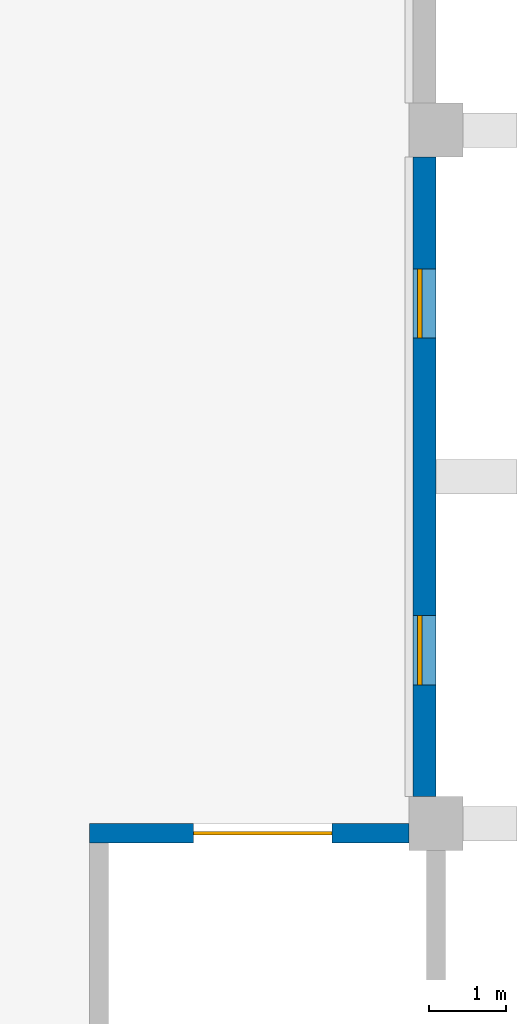
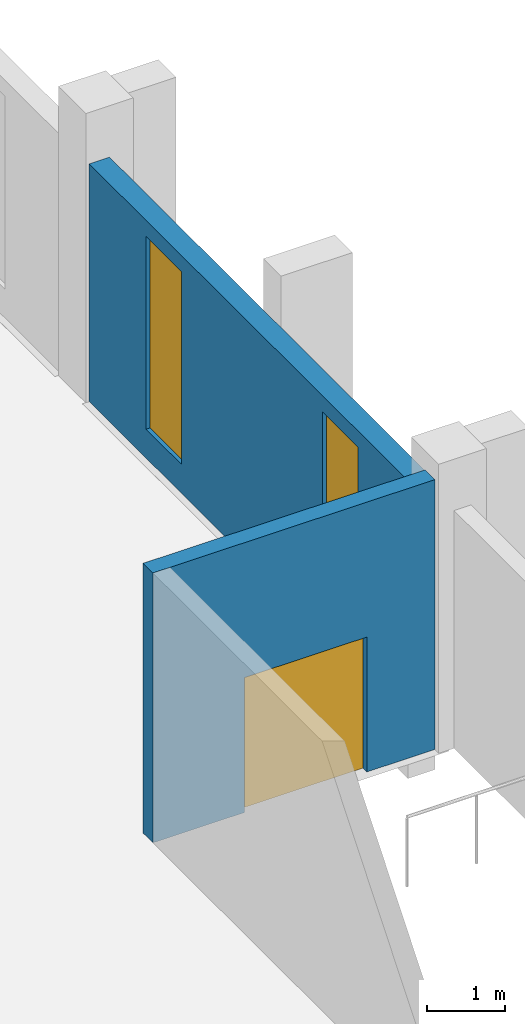
# One storey, part 23 of 40: 2 walls, 2 windows, 1 door, 3 openings.
"""IFC4 building model written with IfcOpenShell, lengths in metres."""

import ifcopenshell
import ifcopenshell.guid

model = None  # the IFC model being written
_history = None  # IfcOwnerHistory: only IFC2X3 demands one
_inside = {}  # id of a spatial element -> (the spatial element, [elements in it])
_under = {}  # id of a project, library or spatial element -> (it, [spatial elements below it])
_declared = {}  # id of a project -> (the project, [libraries it declares])
_typed = {}  # id of a type object -> (the type object, [elements of that type])
_made_of = {}  # id of a material, layer set ... -> (it, [elements and type objects made of it])


def new_model(schema):
    """Start an empty IFC model of exactly this schema.

    Asked for "IFC4X3", IfcOpenShell would pick the latest addendum, in which some entities
    have other attributes; the version numbers below select the first issue.
    IFC2X3 requires an IfcOwnerHistory on every rooted entity: one is made here for all.
    """
    global model, _history
    if schema == "IFC4X3":
        model = ifcopenshell.file(schema_version=(4, 3, 0, 0))
    else:
        model = ifcopenshell.file(schema=schema)
    _inside.clear()
    _under.clear()
    _declared.clear()
    _typed.clear()
    _made_of.clear()
    _history = None
    if model.schema == "IFC2X3":
        org = make("IfcOrganization", Name="unknown")
        user = make(
            "IfcPersonAndOrganization",
            ThePerson=make("IfcPerson", FamilyName="unknown"),
            TheOrganization=org,
        )
        app = make(
            "IfcApplication",
            ApplicationDeveloper=org,
            Version="unknown",
            ApplicationFullName="unknown",
            ApplicationIdentifier="unknown",
        )
        _history = make(
            "IfcOwnerHistory",
            OwningUser=user,
            OwningApplication=app,
            ChangeAction="ADDED",
            CreationDate=0,
        )
    return model


def make(cls, **values):
    """One entity of the class cls with the attributes given. An attribute that is None is left unset."""
    return model.create_entity(
        cls, **{name: value for name, value in values.items() if value is not None}
    )


def rooted(cls, **values):
    """An entity with a GlobalId (a new one), such as an element, a storey or a relation."""
    return make(cls, GlobalId=ifcopenshell.guid.new(), OwnerHistory=_history, **values)


def si_unit(unit_type, name, prefix=None):
    """IfcSIUnit, for example si_unit("LENGTHUNIT", "METRE", prefix="MILLI")."""
    return make("IfcSIUnit", UnitType=unit_type, Prefix=prefix, Name=name)


def assignment(units):
    """IfcUnitAssignment: the units of a project."""
    return None if units is None else make("IfcUnitAssignment", Units=units)


def point(xyz):
    """IfcCartesianPoint."""
    return None if xyz is None else make("IfcCartesianPoint", Coordinates=xyz)


def direction(xyz):
    """IfcDirection."""
    return None if xyz is None else make("IfcDirection", DirectionRatios=xyz)


def frame(location, z_axis=None, x_axis=None):
    """IfcAxis2Placement3D, a coordinate frame: its origin and axes. An axis left out is left unset."""
    return make(
        "IfcAxis2Placement3D",
        Location=point(location),
        Axis=direction(z_axis),
        RefDirection=direction(x_axis),
    )


def frame_2d(location, x_axis=None):
    """IfcAxis2Placement2D, a coordinate frame in the plane: its origin and x axis."""
    return make(
        "IfcAxis2Placement2D", Location=point(location), RefDirection=direction(x_axis)
    )


def origin():
    """The frame at (0, 0, 0) with its axes left unset."""
    return frame((0.0, 0.0, 0.0))


def place(relative_to, where):
    """IfcLocalPlacement: puts the frame where relative to a parent placement (None: the world)."""
    return make(
        "IfcLocalPlacement", PlacementRelTo=relative_to, RelativePlacement=where
    )


def context(
    kind, dimensions, precision=None, world=None, true_north=None, identifier=None
):
    """IfcGeometricRepresentationContext, for example the 3D "Model" context."""
    return make(
        "IfcGeometricRepresentationContext",
        ContextIdentifier=identifier,
        ContextType=kind,
        CoordinateSpaceDimension=dimensions,
        Precision=precision,
        WorldCoordinateSystem=world,
        TrueNorth=true_north,
    )


def subcontext(parent, identifier, kind, view, scale=None):
    """IfcGeometricRepresentationSubContext, for example "Body" below "Model"."""
    return make(
        "IfcGeometricRepresentationSubContext",
        ContextIdentifier=identifier,
        ContextType=kind,
        ParentContext=parent,
        TargetScale=scale,
        TargetView=view,
    )


def project(units=None, contexts=None):
    """IfcProject with its units and contexts."""
    return rooted(
        "IfcProject",
        Name="project",
        RepresentationContexts=contexts,
        UnitsInContext=assignment(units),
    )


def spatial(cls, under=None, at=None, **own):
    """A site, building, storey or space (cls), placed at a placement, below another one or the project."""
    s = rooted(cls, ObjectPlacement=at, **own)
    if under is not None:
        _under.setdefault(under.id(), (under, []))[1].append(s)
    return s


def profile(cls, at=None, kind="AREA", **sizes):
    """A parametric profile (cls). Its sizes go by their IFC names, for example OverallWidth=200.0."""
    return make(cls, ProfileType=kind, Position=at, **sizes)


def rectangle(**sizes):
    """IfcRectangleProfileDef."""
    return profile("IfcRectangleProfileDef", **sizes)


def extrude(swept, where, along, depth):
    """IfcExtrudedAreaSolid: the profile swept, set in the frame where, extruded along a direction by depth."""
    return make(
        "IfcExtrudedAreaSolid",
        SweptArea=swept,
        Position=where,
        ExtrudedDirection=direction(along),
        Depth=depth,
    )


def shape(context_of_items, identifier, shape_type, items):
    """IfcShapeRepresentation: the items that make up one representation, for example the "Body"."""
    return make(
        "IfcShapeRepresentation",
        ContextOfItems=context_of_items,
        RepresentationIdentifier=identifier,
        RepresentationType=shape_type,
        Items=items,
    )


def material(Name=None, Category=None):
    """IfcMaterial."""
    return make("IfcMaterial", Name=Name, Category=Category)


def layer(
    of_material, thickness, ventilated=None, Name=None, Category=None, Priority=None
):
    """IfcMaterialLayer: one layer of a wall or slab, of a material (None: an air gap)."""
    return make(
        "IfcMaterialLayer",
        Material=of_material,
        LayerThickness=thickness,
        IsVentilated=ventilated,
        Name=Name,
        Category=Category,
        Priority=Priority,
    )


def layer_set(layers, Name=None):
    """IfcMaterialLayerSet."""
    return make("IfcMaterialLayerSet", MaterialLayers=layers, LayerSetName=Name)


def made_of(thing, what):
    """Note that an element or type object is made of a material, layer set ...; save() writes the relation."""
    if what is not None:
        _made_of.setdefault(what.id(), (what, []))[1].append(thing)
    return thing


def type_object(cls, material=None, **own):
    """A type object (cls), such as IfcWallType, which elements share."""
    return made_of(rooted(cls, **own), material)


def element(
    cls,
    number,
    at=None,
    inside=None,
    cuts=None,
    type_object=None,
    material=None,
    context=None,
    identifier="Body",
    shape_type=None,
    held_by="IfcProductDefinitionShape",
    body=None,
    shapes=None,
    **own,
):
    """One element of the class cls, such as IfcWall. Its Tag is "e" and its number.

    at: its placement. inside: the storey or other place that contains it. cuts: it is an
    opening in that element (IfcRelVoidsElement). A single representation is given by context,
    identifier, shape_type and body (its items); several are given by shapes. held_by: the class
    of the entity that holds the representations. save() writes the other relations.
    """
    e = rooted(cls, Tag="e%d" % number, ObjectPlacement=at, **own)
    if body is not None:
        shapes = [shape(context, identifier, shape_type, body)]
    if shapes is not None:
        e.Representation = make(held_by, Representations=shapes)
    if inside is not None:
        _inside.setdefault(inside.id(), (inside, []))[1].append(e)
    if cuts is not None:
        rooted(
            "IfcRelVoidsElement", RelatingBuildingElement=cuts, RelatedOpeningElement=e
        )
    if type_object is not None:
        _typed.setdefault(type_object.id(), (type_object, []))[1].append(e)
    return made_of(e, material)


def fill(opening, filler):
    """IfcRelFillsElement: the door or window that sits in an opening."""
    return rooted(
        "IfcRelFillsElement",
        RelatingOpeningElement=opening,
        RelatedBuildingElement=filler,
    )


def aggregate(whole, parts):
    """IfcRelAggregates: a whole, such as a stair, and the parts it consists of."""
    return rooted("IfcRelAggregates", RelatingObject=whole, RelatedObjects=parts)


def save(model, path):
    """Write the relations noted so far, then the file.

    IfcRelAggregates (storeys below a building ...), IfcRelContainedInSpatialStructure (elements
    in a storey), IfcRelDefinesByType, IfcRelAssociatesMaterial and IfcRelDeclares: one each for
    every whole, place, type object, material and project.
    """
    for whole, parts in _under.values():
        aggregate(whole, parts)
    for where, things in _inside.values():
        rooted(
            "IfcRelContainedInSpatialStructure",
            RelatedElements=things,
            RelatingStructure=where,
        )
    for kind, things in _typed.values():
        rooted("IfcRelDefinesByType", RelatedObjects=things, RelatingType=kind)
    for what, things in _made_of.values():
        rooted("IfcRelAssociatesMaterial", RelatedObjects=things, RelatingMaterial=what)
    for by, libraries in _declared.values():
        rooted("IfcRelDeclares", RelatingContext=by, RelatedDefinitions=libraries)
    model.write(path)


model = new_model("IFC4")

# Units and contexts
model_context = context("Model", 3, precision=1e-05, world=origin(), true_north=direction((0.0, 1.0)))
body_context = subcontext(model_context, "Body", "Model", "MODEL_VIEW")
ifc_project = project(units=[si_unit("LENGTHUNIT", "METRE"), si_unit("AREAUNIT", "SQUARE_METRE"), si_unit("VOLUMEUNIT", "CUBIC_METRE"), si_unit("PLANEANGLEUNIT", "RADIAN"), si_unit("MASSUNIT", "GRAM", prefix="KILO")], contexts=[model_context])

# Site, building, storey
site_placement = place(None, origin())
site = spatial("IfcSite", under=ifc_project, at=site_placement, CompositionType="ELEMENT")
building_placement = place(site_placement, origin())
building = spatial("IfcBuilding", under=site, at=building_placement, Name="Guidao Yard Department Store", CompositionType="ELEMENT")
storey_placement = place(building_placement, frame((0.0, 0.0, 24.0)))
storey = spatial("IfcBuildingStorey", under=building, at=storey_placement, Name="L05", CompositionType="ELEMENT", Elevation=24.0)

# Wall, openings, windows
ifc_material_1 = material(Name="Concrete C35", Category="concrete")
ifc_layer_1 = layer(ifc_material_1, 0.300048828125)
ifc_layer_set_1 = layer_set([ifc_layer_1], Name="Hall facade wall 300 C35")
wall_type_1 = type_object("IfcWallType", Name="Hall facade wall 300 C35", PredefinedType="SOLIDWALL", material=ifc_layer_set_1)
wall_1_placement = place(storey_placement, frame((62.85009765625, 62.64990234375, 0.0), z_axis=(0.0, 0.0, 1.0), x_axis=(0.0, -1.0, 0.0)))
wall_1 = element("IfcWall", 1, at=wall_1_placement, inside=storey, type_object=wall_type_1, Name="Hall facade wall", PredefinedType="SOLIDWALL", context=body_context, shape_type="SweptSolid", body=[
    extrude(rectangle(XDim=8.2998046875, YDim=0.300048828125, at=frame_2d((4.14990234375, 0.0))), origin(), (0.0, 0.0, 1.0), 3.699951171875),
])
opening_1_placement = place(wall_1_placement, frame((5.949951171875, 0.0, 0.449951171875)))
opening_1 = element("IfcOpeningElement", 2, at=opening_1_placement, cuts=wall_1, Name="Opening WN-L05-E19", PredefinedType="OPENING", context=body_context, shape_type="SweptSolid", body=[
    extrude(rectangle(XDim=0.89990234375, YDim=3.0, at=frame_2d((0.449951171875, 1.5))), frame((0.0, 0.159912109375, 0.0), z_axis=(0.0, -1.0, 0.0), x_axis=(1.0, 0.0, 0.0)), (0.0, 0.0, 1.0), 0.320068359375),
])
opening_2_placement = place(wall_1_placement, frame((1.449951171875, 0.0, 0.449951171875)))
opening_2 = element("IfcOpeningElement", 3, at=opening_2_placement, cuts=wall_1, Name="Opening WN-L05-E20", PredefinedType="OPENING", context=body_context, shape_type="SweptSolid", body=[
    extrude(rectangle(XDim=0.89990234375, YDim=3.0, at=frame_2d((0.449951171875, 1.5))), frame((0.0, 0.159912109375, 0.0), z_axis=(0.0, -1.0, 0.0), x_axis=(1.0, 0.0, 0.0)), (0.0, 0.0, 1.0), 0.320068359375),
])
ifc_material_2 = material(Name="Laminated glass in aluminium frame", Category="aluminium")
window_type = type_object("IfcWindowType", Name="Slot window SL1 900 x 3000 fixed", PartitioningType="SINGLE_PANEL", PredefinedType="WINDOW", material=ifc_material_2)
window_1_placement = place(opening_1_placement, origin())
window_1 = element("IfcWindow", 4, at=window_1_placement, inside=storey, type_object=window_type, Name="Slot window", OverallHeight=3.0, OverallWidth=0.89990234375, PartitioningType="SINGLE_PANEL", PredefinedType="WINDOW", context=body_context, shape_type="SweptSolid", body=[
    extrude(rectangle(XDim=0.89990234375, YDim=3.0, at=frame_2d((0.449951171875, 1.5))), frame((0.0, -0.030029296875, 0.0), z_axis=(0.0, -1.0, 0.0), x_axis=(1.0, 0.0, 0.0)), (0.0, 0.0, 1.0), 0.06005859375),
])
fill(opening_1, window_1)
window_2_placement = place(opening_2_placement, origin())
window_2 = element("IfcWindow", 5, at=window_2_placement, inside=storey, type_object=window_type, Name="Slot window", OverallHeight=3.0, OverallWidth=0.89990234375, PartitioningType="SINGLE_PANEL", PredefinedType="WINDOW", context=body_context, shape_type="SweptSolid", body=[
    extrude(rectangle(XDim=0.89990234375, YDim=3.0, at=frame_2d((0.449951171875, 1.5))), frame((0.0, -0.030029296875, 0.0), z_axis=(0.0, -1.0, 0.0), x_axis=(1.0, 0.0, 0.0)), (0.0, 0.0, 1.0), 0.06005859375),
])
fill(opening_2, window_2)

# Wall, opening, door
ifc_material_3 = material(Name="Concrete C40", Category="concrete")
ifc_layer_2 = layer(ifc_material_3, 0.25)
ifc_layer_set_2 = layer_set([ifc_layer_2], Name="Wall RC 250 C40 stair and shaft")
wall_type_2 = type_object("IfcWallType", Name="Wall RC 250 C40 stair and shaft", PredefinedType="SHEAR", material=ifc_layer_set_2)
wall_2_placement = place(storey_placement, frame((58.5, 53.875, 0.0), z_axis=(0.0, 0.0, 1.0), x_axis=(1.0, 0.0, 0.0)))
wall_2 = element("IfcWall", 6, at=wall_2_placement, inside=storey, type_object=wall_type_2, Name="Stair wall SA2", PredefinedType="SHEAR", context=body_context, shape_type="SweptSolid", body=[
    extrude(rectangle(XDim=4.14990234375, YDim=0.25, at=frame_2d((2.074951171875, 0.0))), origin(), (0.0, 0.0, 1.0), 4.199951171875),
])
opening_3_placement = place(wall_2_placement, frame((3.150146484375, 0.0, 0.0), z_axis=(0.0, 0.0, 1.0), x_axis=(-1.0, 0.0, 0.0)))
opening_3 = element("IfcOpeningElement", 7, at=opening_3_placement, cuts=wall_2, Name="Opening L05-801", PredefinedType="OPENING", context=body_context, shape_type="SweptSolid", body=[
    extrude(rectangle(XDim=1.800048828125, YDim=2.10009765625, at=frame_2d((0.89990234375, 1.050048828125))), frame((0.0, 0.135009765625, 0.0), z_axis=(0.0, -1.0, 0.0), x_axis=(1.0, 0.0, 0.0)), (0.0, 0.0, 1.0), 0.27001953125),
])
ifc_material_4 = material(Name="Steel Q235", Category="steel")
door_type = type_object("IfcDoorType", Name="Door fire-resisting 1800 x 2100 FD60", OperationType="DOUBLE_DOOR_SINGLE_SWING", PredefinedType="DOOR", material=ifc_material_4)
door_placement = place(opening_3_placement, origin())
door = element("IfcDoor", 8, at=door_placement, inside=storey, type_object=door_type, Name="Stair A2 door L05", OperationType="DOUBLE_DOOR_SINGLE_SWING", OverallHeight=2.10009765625, OverallWidth=1.800048828125, PredefinedType="DOOR", context=body_context, shape_type="SweptSolid", body=[
    extrude(rectangle(XDim=1.800048828125, YDim=2.10009765625, at=frame_2d((0.89990234375, 1.050048828125))), frame((0.0, 0.02490234375, 0.0), z_axis=(0.0, -1.0, 0.0), x_axis=(1.0, 0.0, 0.0)), (0.0, 0.0, 1.0), 0.050048828125),
])
fill(opening_3, door)

save(model, "model.ifc")
